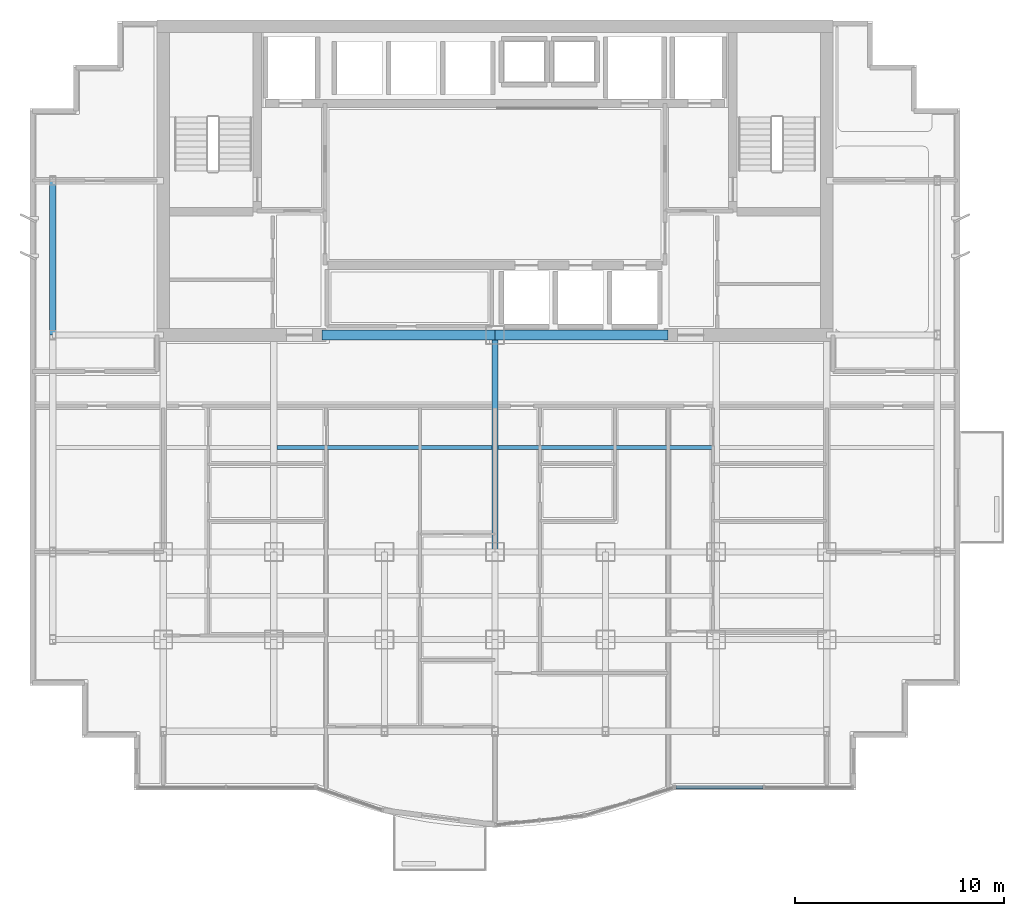
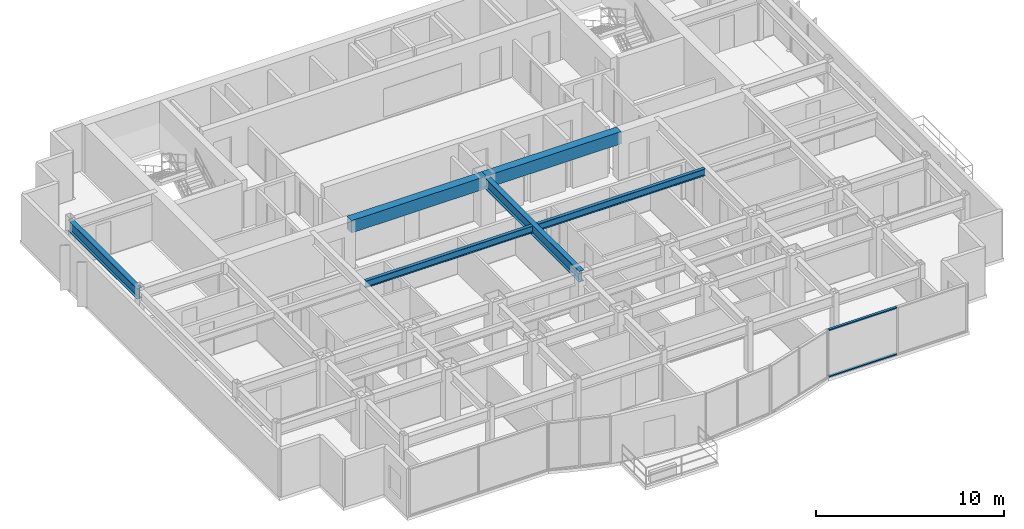
# One storey, part 3 of 11: 6 beams, 2 members, 1 element without a shape of its own.
"""IFC4 building model written with IfcOpenShell, lengths in metres."""

from ifc_helpers import new_model, si_unit, direction, frame, origin, origin_2d, place, context, subcontext, project, spatial, rectangle, i_section, extrude, source, transform, mapped, material, layer, layer_set, material_profile, profile_set, type_object, element, aggregate, save


model = new_model("IFC4")

# Units and contexts
model_context = context("Model", 3, precision=1e-05, world=origin(), true_north=direction((0.0, 1.0)))
body_context = subcontext(model_context, "Body", "Model", "MODEL_VIEW")
ifc_project = project(units=[si_unit("LENGTHUNIT", "METRE"), si_unit("AREAUNIT", "SQUARE_METRE"), si_unit("VOLUMEUNIT", "CUBIC_METRE"), si_unit("PLANEANGLEUNIT", "RADIAN"), si_unit("MASSUNIT", "GRAM", prefix="KILO")], contexts=[model_context])

# Site, building, storey
site_placement = place(None, origin())
site = spatial("IfcSite", under=ifc_project, at=site_placement, CompositionType="ELEMENT")
building_placement = place(site_placement, origin())
building = spatial("IfcBuilding", under=site, at=building_placement, Name="Qianlan Lanfeng Residences", CompositionType="ELEMENT")
storey_placement = place(building_placement, frame((0.0, 0.0, 149.10009765625)))
storey = spatial("IfcBuildingStorey", under=building, at=storey_placement, Name="L40", CompositionType="ELEMENT", Elevation=149.10009765625)

# Beams
ifc_material_1 = material(Name="Steel SN490B", Category="steel")
ifc_material_profile_1 = material_profile(ifc_material_1, i_section(OverallWidth=0.300048828125, OverallDepth=0.699951171875, WebThickness=0.012939453125, FlangeThickness=0.02392578125, at=origin_2d()), Name="H 700x300x13x24")
ifc_profile_set_1 = profile_set([ifc_material_profile_1], Name="Steel SN490B")
beam_type_1 = type_object("IfcBeamType", Name="G-750", PredefinedType="BEAM", material=ifc_profile_set_1)
beam_1_placement = place(storey_placement, frame((26.5, 14.800048828125, 2.75), z_axis=(0.0, 1.0, 0.0), x_axis=(-1.0, 0.0, 0.0)))
element("IfcBeam", 1, at=beam_1_placement, inside=storey, type_object=beam_type_1, Name="Structural beam G-750", PredefinedType="BEAM", context=body_context, shape_type="SweptSolid", body=[
    extrude(i_section(OverallWidth=0.300048828125, OverallDepth=0.699951171875, WebThickness=0.012939453125, FlangeThickness=0.02392578125, at=origin_2d()), origin(), (0.0, 0.0, 1.0), 10.39990234375),
])
ifc_material_profile_2 = material_profile(ifc_material_1, i_section(OverallWidth=0.199951171875, OverallDepth=0.449951171875, WebThickness=0.009033203125, FlangeThickness=0.013916015625, at=origin_2d()), Name="H 450x200x9x14")
ifc_profile_set_2 = profile_set([ifc_material_profile_2], Name="Steel SN490B")
beam_type_2 = type_object("IfcBeamType", Name="J-450", PredefinedType="JOIST", material=ifc_profile_set_2)
for number, where, z_axis, x_axis, name in (
    (2, (16.050048828125, 19.800048828125, 2.875), (1.0, 0.0, 0.0), (0.0, 1.0, 0.0), "Structural beam J-450"),
    (3, (26.64990234375, 19.800048828125, 2.875), (1.0, 0.0, 0.0), (0.0, 1.0, 0.0), "Structural beam J-450"),
):
    element("IfcBeam", number, at=place(storey_placement, frame(where, z_axis=z_axis, x_axis=x_axis)), inside=storey, type_object=beam_type_2, Name=name, PredefinedType="JOIST", context=body_context, shape_type="SweptSolid", body=[
        extrude(i_section(OverallWidth=0.199951171875, OverallDepth=0.449951171875, WebThickness=0.009033203125, FlangeThickness=0.013916015625, at=origin_2d()), origin(), (0.0, 0.0, 1.0), 10.300048828125),
    ])
ifc_material_2 = material(Name="Concrete C49", Category="concrete")
ifc_material_profile_3 = material_profile(ifc_material_2, rectangle(XDim=0.5, YDim=0.800048828125, at=origin_2d()), Name="RC 500x800")
ifc_profile_set_3 = profile_set([ifc_material_profile_3], Name="Concrete C49")
beam_type_3 = type_object("IfcBeamType", Name="LB-RC750", PredefinedType="BEAM", material=ifc_profile_set_3)
for number, where, z_axis, x_axis, name in (
    (4, (18.199951171875, 25.199951171875, 2.699951171875), (1.0, 0.0, 0.0), (0.0, 1.0, 0.0), "L40 Core Coupling Beam W"),
    (5, (26.5, 25.199951171875, 2.699951171875), (1.0, 0.0, 0.0), (0.0, 1.0, 0.0), "L40 Core Coupling Beam E"),
):
    element("IfcBeam", number, at=place(storey_placement, frame(where, z_axis=z_axis, x_axis=x_axis)), inside=storey, type_object=beam_type_3, Name=name, PredefinedType="BEAM", context=body_context, shape_type="SweptSolid", body=[
        extrude(rectangle(XDim=0.5, YDim=0.800048828125, at=origin_2d()), origin(), (0.0, 0.0, 1.0), 8.300048828125),
    ])
ifc_material_profile_4 = material_profile(ifc_material_1, i_section(OverallWidth=0.300048828125, OverallDepth=0.699951171875, WebThickness=0.012939453125, FlangeThickness=0.02392578125, at=origin_2d()), Name="H 700x300x13x24")
ifc_profile_set_4 = profile_set([ifc_material_profile_4], Name="Steel SN490B")
beam_type_4 = type_object("IfcBeamType", Name="SG-750", PredefinedType="SPANDREL", material=ifc_profile_set_4)
beam_2_placement = place(storey_placement, frame((5.300048828125, 25.199951171875, 2.739990234375), z_axis=(0.0, 1.0, 0.0), x_axis=(-1.0, 0.0, 0.0)))
element("IfcBeam", 6, at=beam_2_placement, inside=storey, type_object=beam_type_4, Name="Structural beam SG-750", PredefinedType="SPANDREL", context=body_context, shape_type="SweptSolid", body=[
    extrude(i_section(OverallWidth=0.300048828125, OverallDepth=0.699951171875, WebThickness=0.012939453125, FlangeThickness=0.02392578125, at=origin_2d()), origin(), (0.0, 0.0, 1.0), 7.400146484375),
])

# Curtain wall, members
ifc_material_3 = material(Name="Anodised Bronze Aluminium 6063-T6", Category="aluminium")
ifc_layer = layer(ifc_material_3, 0.219970703125)
ifc_layer_set = layer_set([ifc_layer], Name="Anodised Bronze Aluminium 6063-T6")
curtain_wall_type = type_object("IfcCurtainWallType", Name="CW-04", PredefinedType="NOTDEFINED", material=ifc_layer_set)
curtain_wall_placement = place(storey_placement, origin())
curtain_wall = element("IfcCurtainWall", 7, at=curtain_wall_placement, inside=storey, type_object=curtain_wall_type, Name="L40 Unitised Curtain Wall CWR-L40-05 (CW-04)", PredefinedType="NOTDEFINED")
ifc_material_profile_5 = material_profile(ifc_material_3, rectangle(XDim=0.074951171875, YDim=0.14990234375, at=origin_2d()), Name="ALU TRANSOM 75x150")
ifc_profile_set_5 = profile_set([ifc_material_profile_5], Name="Anodised Bronze Aluminium 6063-T6")
member_type = type_object("IfcMemberType", Name="CWT-150", PredefinedType="USERDEFINED", material=ifc_profile_set_5)
shared_shape = source(origin(), body_context, "Body", "SweptSolid", [
    extrude(rectangle(XDim=0.074951171875, YDim=0.14990234375, at=origin_2d()), origin(), (0.0, 0.0, 1.0), 4.178955078125),
])
member_1_placement = place(storey_placement, frame((35.172119140625, 3.52001953125, 0.037353515625), z_axis=(1.0, 0.0, 0.0), x_axis=(0.0, 0.0, 1.0)))
member_1 = element("IfcMember", 8, at=member_1_placement, type_object=member_type, Name="CWR-L40-05 Transom 1-BOT", ObjectType="TRANSOM", PredefinedType="USERDEFINED", context=body_context, shape_type="MappedRepresentation", body=[
    mapped(shared_shape, transform((0.0, 0.0, 0.0), scale=1.0)),
])
member_2_placement = place(storey_placement, frame((35.172119140625, 3.52001953125, 3.0625), z_axis=(1.0, 0.0, 0.0), x_axis=(0.0, 0.0, 1.0)))
member_2 = element("IfcMember", 9, at=member_2_placement, type_object=member_type, Name="CWR-L40-05 Transom 1-TOP", ObjectType="TRANSOM", PredefinedType="USERDEFINED", context=body_context, shape_type="MappedRepresentation", body=[
    mapped(shared_shape, transform((0.0, 0.0, 0.0), scale=1.0)),
])
aggregate(curtain_wall, [member_1, member_2])

save(model, "model.ifc")
